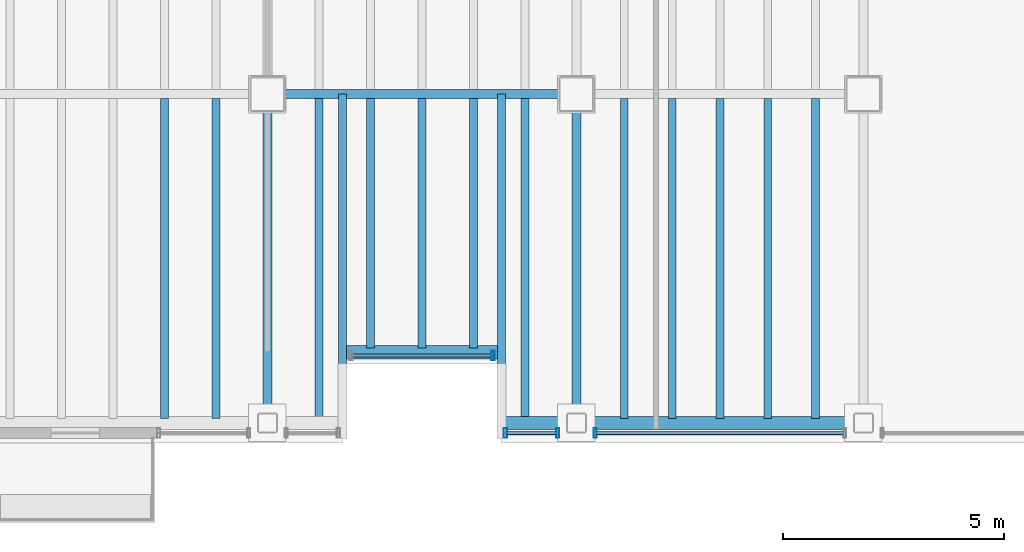
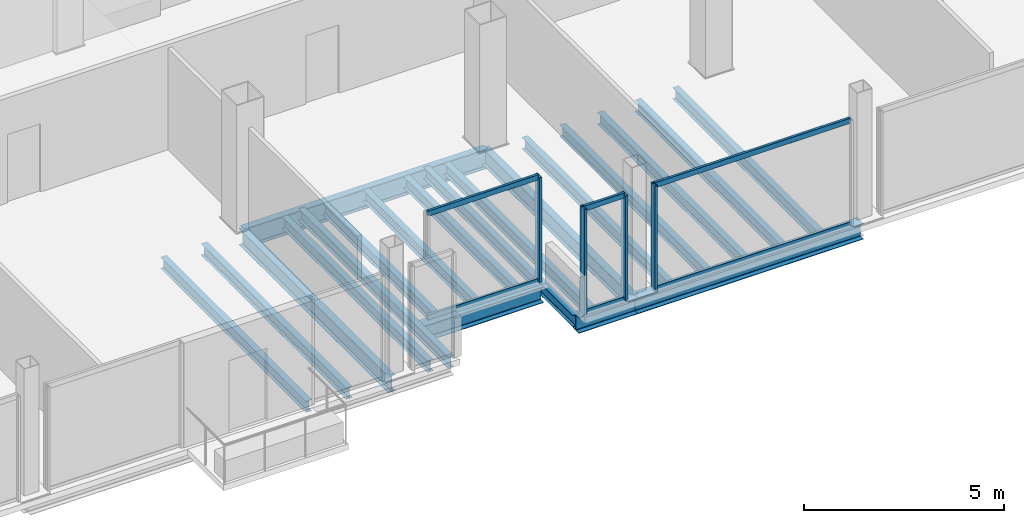
# One storey, part 6 of 16: 20 beams, 10 members, 3 elements without a shape of their own.
"""IFC4 building model written with IfcOpenShell, lengths in metres."""

from ifc_helpers import new_model, si_unit, direction, frame, origin, origin_2d, place, context, subcontext, project, spatial, hollow_rectangle, i_section, extrude, material, material_profile, profile_set, type_object, element, aggregate, save


model = new_model("IFC4")

# Units and contexts
model_context = context("Model", 3, precision=1e-05, world=origin(), true_north=direction((0.0, 1.0)))
body_context = subcontext(model_context, "Body", "Model", "MODEL_VIEW")
ifc_project = project(units=[si_unit("LENGTHUNIT", "METRE"), si_unit("AREAUNIT", "SQUARE_METRE"), si_unit("VOLUMEUNIT", "CUBIC_METRE"), si_unit("PLANEANGLEUNIT", "RADIAN"), si_unit("MASSUNIT", "GRAM", prefix="KILO")], contexts=[model_context])

# Site, building, storey
site_placement = place(None, origin())
site = spatial("IfcSite", under=ifc_project, at=site_placement, CompositionType="ELEMENT")
building_placement = place(site_placement, origin())
building = spatial("IfcBuilding", under=site, at=building_placement, Name="Noeulbin Bourse Tower", CompositionType="ELEMENT")
storey_placement = place(building_placement, frame((0.0, 0.0, 234.5)))
storey = spatial("IfcBuildingStorey", under=building, at=storey_placement, Name="L58", CompositionType="ELEMENT", Elevation=234.5)

# Beams
ifc_material_1 = material(Name="Steel S355", Category="steel")
ifc_material_profile_1 = material_profile(ifc_material_1, i_section(OverallWidth=0.199951171875, OverallDepth=0.5, WebThickness=0.010009765625, FlangeThickness=0.01611328125, FilletRadius=0.02001953125, at=origin_2d()), Name="H-500x200x10x16", Category="LoadBearing")
ifc_profile_set_1 = profile_set([ifc_material_profile_1], Name="Steel S355")
beam_type_1 = type_object("IfcBeamType", Name="BM-GRD-500", PredefinedType="USERDEFINED", material=ifc_profile_set_1)
for number, where, z_axis, x_axis, name in (
    (1, (24.0, 12.550048828125, -0.429931640625), (0.0, 1.0, 0.0), (-1.0, 0.0, 0.0), "Tower Primary Girder NS L58-2.1"),
    (2, (31.0, 12.550048828125, -0.429931640625), (0.0, 1.0, 0.0), (-1.0, 0.0, 0.0), "Tower Primary Girder NS L58-3.1"),
):
    element("IfcBeam", number, at=place(storey_placement, frame(where, z_axis=z_axis, x_axis=x_axis)), inside=storey, type_object=beam_type_1, Name=name, ObjectType="GIRDER", PredefinedType="USERDEFINED", context=body_context, shape_type="SweptSolid", body=[
        extrude(i_section(OverallWidth=0.199951171875, OverallDepth=0.5, WebThickness=0.010009765625, FlangeThickness=0.01611328125, FilletRadius=0.02001953125, at=origin_2d()), origin(), (0.0, 0.0, 1.0), 7.449951171875),
    ])
ifc_material_profile_2 = material_profile(ifc_material_1, i_section(OverallWidth=0.199951171875, OverallDepth=0.60009765625, WebThickness=0.010986328125, FlangeThickness=0.01708984375, FilletRadius=0.02197265625, at=origin_2d()), Name="H-600x200x11x17", Category="LoadBearing")
ifc_profile_set_2 = profile_set([ifc_material_profile_2], Name="Steel S355")
beam_type_2 = type_object("IfcBeamType", Name="BM-GRD-600", PredefinedType="USERDEFINED", material=ifc_profile_set_2)
beam_1_placement = place(storey_placement, frame((24.0, 20.0, -0.47998046875), z_axis=(1.0, 0.0, 0.0), x_axis=(0.0, 1.0, 0.0)))
element("IfcBeam", 3, at=beam_1_placement, inside=storey, type_object=beam_type_2, Name="Tower Primary Girder EW L58-1.3", ObjectType="GIRDER", PredefinedType="USERDEFINED", context=body_context, shape_type="SweptSolid", body=[
    extrude(i_section(OverallWidth=0.199951171875, OverallDepth=0.60009765625, WebThickness=0.010986328125, FlangeThickness=0.01708984375, FilletRadius=0.02197265625, at=origin_2d()), origin(), (0.0, 0.0, 1.0), 7.0),
])
ifc_material_profile_3 = material_profile(ifc_material_1, i_section(OverallWidth=0.175048828125, OverallDepth=0.35009765625, WebThickness=0.007080078125, FlangeThickness=0.010986328125, FilletRadius=0.013916015625, at=origin_2d()), Name="H-350x175x7x11", Category="LoadBearing")
ifc_profile_set_3 = profile_set([ifc_material_profile_3], Name="Steel S355")
beam_type_3 = type_object("IfcBeamType", Name="BM-JST-350", PredefinedType="JOIST", material=ifc_profile_set_3)
for number, where, z_axis, x_axis, name in (
    (4, (25.699951171875, 12.550048828125, -0.35498046875), (0.0, 1.0, 0.0), (-1.0, 0.0, 0.0), "BM-L58-SRT-W"),
    (5, (29.300048828125, 12.550048828125, -0.35498046875), (0.0, 1.0, 0.0), (-1.0, 0.0, 0.0), "BM-L58-SRT-E"),
):
    element("IfcBeam", number, at=place(storey_placement, frame(where, z_axis=z_axis, x_axis=x_axis)), inside=storey, type_object=beam_type_3, Name=name, PredefinedType="JOIST", context=body_context, shape_type="SweptSolid", body=[
        extrude(i_section(OverallWidth=0.175048828125, OverallDepth=0.35009765625, WebThickness=0.007080078125, FlangeThickness=0.010986328125, FilletRadius=0.013916015625, at=origin_2d()), origin(), (0.0, 0.0, 1.0), 7.449951171875),
    ])
for number, where, z_axis, x_axis, name in (
    (6, (21.666748046875, 12.64990234375, -0.35498046875), (0.0, 1.0, 0.0), (-1.0, 0.0, 0.0), "Tower Composite Joist L58-13"),
    (7, (22.833251953125, 12.64990234375, -0.35498046875), (0.0, 1.0, 0.0), (-1.0, 0.0, 0.0), "Tower Composite Joist L58-15"),
    (8, (25.166748046875, 12.64990234375, -0.35498046875), (0.0, 1.0, 0.0), (-1.0, 0.0, 0.0), "Tower Composite Joist L58-17"),
):
    element("IfcBeam", number, at=place(storey_placement, frame(where, z_axis=z_axis, x_axis=x_axis)), inside=storey, type_object=beam_type_3, Name=name, PredefinedType="JOIST", context=body_context, shape_type="SweptSolid", body=[
        extrude(i_section(OverallWidth=0.175048828125, OverallDepth=0.35009765625, WebThickness=0.007080078125, FlangeThickness=0.010986328125, FilletRadius=0.013916015625, at=origin_2d()), origin(), (0.0, 0.0, 1.0), 7.25),
    ])
for number, where, z_axis, x_axis, name in (
    (9, (26.333251953125, 14.25, -0.35498046875), (0.0, 1.0, 0.0), (-1.0, 0.0, 0.0), "Tower Composite Joist L58-19"),
    (10, (27.5, 14.25, -0.35498046875), (0.0, 1.0, 0.0), (-1.0, 0.0, 0.0), "Tower Composite Joist L58-21"),
    (11, (28.666748046875, 14.25, -0.35498046875), (0.0, 1.0, 0.0), (-1.0, 0.0, 0.0), "Tower Composite Joist L58-23"),
):
    element("IfcBeam", number, at=place(storey_placement, frame(where, z_axis=z_axis, x_axis=x_axis)), inside=storey, type_object=beam_type_3, Name=name, PredefinedType="JOIST", context=body_context, shape_type="SweptSolid", body=[
        extrude(i_section(OverallWidth=0.175048828125, OverallDepth=0.35009765625, WebThickness=0.007080078125, FlangeThickness=0.010986328125, FilletRadius=0.013916015625, at=origin_2d()), origin(), (0.0, 0.0, 1.0), 5.64990234375),
    ])
for number, where, z_axis, x_axis, name in (
    (12, (29.833251953125, 12.64990234375, -0.35498046875), (0.0, 1.0, 0.0), (-1.0, 0.0, 0.0), "Tower Composite Joist L58-25"),
    (13, (32.083251953125, 12.64990234375, -0.35498046875), (0.0, 1.0, 0.0), (-1.0, 0.0, 0.0), "Tower Composite Joist L58-27"),
    (14, (33.166748046875, 12.64990234375, -0.35498046875), (0.0, 1.0, 0.0), (-1.0, 0.0, 0.0), "Tower Composite Joist L58-29"),
    (15, (34.25, 12.64990234375, -0.35498046875), (0.0, 1.0, 0.0), (-1.0, 0.0, 0.0), "Tower Composite Joist L58-31"),
    (16, (35.333251953125, 12.64990234375, -0.35498046875), (0.0, 1.0, 0.0), (-1.0, 0.0, 0.0), "Tower Composite Joist L58-33"),
    (17, (36.416748046875, 12.64990234375, -0.35498046875), (0.0, 1.0, 0.0), (-1.0, 0.0, 0.0), "Tower Composite Joist L58-35"),
):
    element("IfcBeam", number, at=place(storey_placement, frame(where, z_axis=z_axis, x_axis=x_axis)), inside=storey, type_object=beam_type_3, Name=name, PredefinedType="JOIST", context=body_context, shape_type="SweptSolid", body=[
        extrude(i_section(OverallWidth=0.175048828125, OverallDepth=0.35009765625, WebThickness=0.007080078125, FlangeThickness=0.010986328125, FilletRadius=0.013916015625, at=origin_2d()), origin(), (0.0, 0.0, 1.0), 7.25),
    ])
ifc_material_profile_4 = material_profile(ifc_material_1, i_section(OverallWidth=0.300048828125, OverallDepth=0.488037109375, WebThickness=0.010986328125, FlangeThickness=0.01806640625, FilletRadius=0.02197265625, at=origin_2d()), Name="H-488x300x11x18", Category="LoadBearing")
ifc_profile_set_4 = profile_set([ifc_material_profile_4], Name="Steel S355")
beam_type_4 = type_object("IfcBeamType", Name="BM-SPN-488", PredefinedType="SPANDREL", material=ifc_profile_set_4)
beam_2_placement = place(storey_placement, frame((25.78759765625, 14.14990234375, -0.424072265625), z_axis=(1.0, 0.0, 0.0), x_axis=(0.0, 1.0, 0.0)))
element("IfcBeam", 18, at=beam_2_placement, inside=storey, type_object=beam_type_4, Name="South Recess Spandrel L58-2B", PredefinedType="SPANDREL", context=body_context, shape_type="SweptSolid", body=[
    extrude(i_section(OverallWidth=0.300048828125, OverallDepth=0.488037109375, WebThickness=0.010986328125, FlangeThickness=0.01806640625, FilletRadius=0.02197265625, at=origin_2d()), origin(), (0.0, 0.0, 1.0), 3.4248046875),
])
beam_3_placement = place(storey_placement, frame((29.300048828125, 12.550048828125, -0.424072265625), z_axis=(1.0, 0.0, 0.0), x_axis=(0.0, 1.0, 0.0)))
element("IfcBeam", 19, at=beam_3_placement, inside=storey, type_object=beam_type_4, Name="South Spandrel L58-2C", PredefinedType="SPANDREL", context=body_context, shape_type="SweptSolid", body=[
    extrude(i_section(OverallWidth=0.300048828125, OverallDepth=0.488037109375, WebThickness=0.010986328125, FlangeThickness=0.01806640625, FilletRadius=0.02197265625, at=origin_2d()), origin(), (0.0, 0.0, 1.0), 1.699951171875),
])
beam_4_placement = place(storey_placement, frame((31.0, 12.550048828125, -0.424072265625), z_axis=(1.0, 0.0, 0.0), x_axis=(0.0, 1.0, 0.0)))
element("IfcBeam", 20, at=beam_4_placement, inside=storey, type_object=beam_type_4, Name="South Spandrel L58-3", PredefinedType="SPANDREL", context=body_context, shape_type="SweptSolid", body=[
    extrude(i_section(OverallWidth=0.300048828125, OverallDepth=0.488037109375, WebThickness=0.010986328125, FlangeThickness=0.01806640625, FilletRadius=0.02197265625, at=origin_2d()), origin(), (0.0, 0.0, 1.0), 6.5),
])

# Curtain wall, member
ifc_material_2 = material(Name="High-Selectivity Low-Iron Glazing", Category="glass")
curtain_wall_type = type_object("IfcCurtainWallType", Name="CW-SYS-4", PredefinedType="NOTDEFINED", material=ifc_material_2)
curtain_wall_1_placement = place(storey_placement, origin())
curtain_wall_1 = element("IfcCurtainWall", 21, at=curtain_wall_1_placement, inside=storey, type_object=curtain_wall_type, Name="Unitised Curtain Wall CW-L58-SREC", PredefinedType="NOTDEFINED")
ifc_material_3 = material(Name="Anodised Aluminium 6063-T6", Category="aluminium")
ifc_material_profile_5 = material_profile(ifc_material_3, hollow_rectangle(XDim=0.074951171875, YDim=0.219970703125, WallThickness=0.0048828125, InnerFilletRadius=0.00244140625, OuterFilletRadius=0.0048828125, at=origin_2d()), Name="ALU-MULL-75x220x5", Category="LoadBearing")
ifc_profile_set_5 = profile_set([ifc_material_profile_5], Name="Anodised Aluminium 6063-T6")
member_type_1 = type_object("IfcMemberType", Name="CW-SYS-4-MUL", PredefinedType="MULLION", material=ifc_profile_set_5)
member_1_placement = place(storey_placement, frame((29.110107421875, 14.080078125, -0.02001953125), z_axis=(0.0, 0.0, 1.0), x_axis=(1.0, 0.0, 0.0)))
member_1 = element("IfcMember", 22, at=member_1_placement, type_object=member_type_1, Name="Curtain Wall Mullion CW-L58-SREC-M01", PredefinedType="MULLION", context=body_context, shape_type="SweptSolid", body=[
    extrude(hollow_rectangle(XDim=0.074951171875, YDim=0.219970703125, WallThickness=0.0048828125, InnerFilletRadius=0.00244140625, OuterFilletRadius=0.0048828125, at=origin_2d()), origin(), (0.0, 0.0, 1.0), 3.219970703125),
])

# Curtain wall, members
curtain_wall_2_placement = place(storey_placement, origin())
curtain_wall_2 = element("IfcCurtainWall", 23, at=curtain_wall_2_placement, inside=storey, type_object=curtain_wall_type, Name="Unitised Curtain Wall CW-L58-S3-S1", PredefinedType="NOTDEFINED")
member_2_placement = place(storey_placement, frame((29.389892578125, 12.320068359375, -0.02001953125), z_axis=(0.0, 0.0, 1.0), x_axis=(1.0, 0.0, 0.0)))
member_2 = element("IfcMember", 24, at=member_2_placement, type_object=member_type_1, Name="Curtain Wall Mullion CW-L58-S3-S1-M00", PredefinedType="MULLION", context=body_context, shape_type="SweptSolid", body=[
    extrude(hollow_rectangle(XDim=0.074951171875, YDim=0.219970703125, WallThickness=0.0048828125, InnerFilletRadius=0.00244140625, OuterFilletRadius=0.0048828125, at=origin_2d()), origin(), (0.0, 0.0, 1.0), 3.219970703125),
])
member_3_placement = place(storey_placement, frame((30.574951171875, 12.320068359375, -0.02001953125), z_axis=(0.0, 0.0, 1.0), x_axis=(1.0, 0.0, 0.0)))
member_3 = element("IfcMember", 25, at=member_3_placement, type_object=member_type_1, Name="Curtain Wall Mullion CW-L58-S3-S1-M01", PredefinedType="MULLION", context=body_context, shape_type="SweptSolid", body=[
    extrude(hollow_rectangle(XDim=0.074951171875, YDim=0.219970703125, WallThickness=0.0048828125, InnerFilletRadius=0.00244140625, OuterFilletRadius=0.0048828125, at=origin_2d()), origin(), (0.0, 0.0, 1.0), 3.219970703125),
])

# Curtain wall, member
curtain_wall_3_placement = place(storey_placement, origin())
curtain_wall_3 = element("IfcCurtainWall", 26, at=curtain_wall_3_placement, inside=storey, type_object=curtain_wall_type, Name="Unitised Curtain Wall CW-L58-S3-S2", PredefinedType="NOTDEFINED")
member_4_placement = place(storey_placement, frame((31.425048828125, 12.320068359375, -0.02001953125), z_axis=(0.0, 0.0, 1.0), x_axis=(1.0, 0.0, 0.0)))
member_4 = element("IfcMember", 27, at=member_4_placement, type_object=member_type_1, Name="Curtain Wall Mullion CW-L58-S3-S2-M00", PredefinedType="MULLION", context=body_context, shape_type="SweptSolid", body=[
    extrude(hollow_rectangle(XDim=0.074951171875, YDim=0.219970703125, WallThickness=0.0048828125, InnerFilletRadius=0.00244140625, OuterFilletRadius=0.0048828125, at=origin_2d()), origin(), (0.0, 0.0, 1.0), 3.219970703125),
])

# Member
ifc_material_profile_6 = material_profile(ifc_material_3, hollow_rectangle(XDim=0.074951171875, YDim=0.159912109375, WallThickness=0.0048828125, InnerFilletRadius=0.00244140625, OuterFilletRadius=0.0048828125, at=origin_2d()), Name="ALU-TRAN-75x160x5", Category="LoadBearing")
ifc_profile_set_6 = profile_set([ifc_material_profile_6], Name="Anodised Aluminium 6063-T6")
member_type_2 = type_object("IfcMemberType", Name="CW-SYS-4-TRN", PredefinedType="USERDEFINED", material=ifc_profile_set_6)
member_5_placement = place(storey_placement, frame((25.89990234375, 14.080078125, 0.010009765625), z_axis=(1.0, 0.0, 0.0), x_axis=(0.0, 1.0, 0.0)))
member_5 = element("IfcMember", 28, at=member_5_placement, type_object=member_type_2, Name="Curtain Wall Transom CW-L58-SREC-T00", ObjectType="TRANSOM", PredefinedType="USERDEFINED", context=body_context, shape_type="SweptSolid", body=[
    extrude(hollow_rectangle(XDim=0.074951171875, YDim=0.159912109375, WallThickness=0.0048828125, InnerFilletRadius=0.00244140625, OuterFilletRadius=0.0048828125, at=origin_2d()), origin(), (0.0, 0.0, 1.0), 3.2001953125),
])

member_6_placement = place(storey_placement, frame((25.89990234375, 14.080078125, 3.169921875), z_axis=(1.0, 0.0, 0.0), x_axis=(0.0, 1.0, 0.0)))
member_6 = element("IfcMember", 29, at=member_6_placement, type_object=member_type_2, Name="Curtain Wall Transom CW-L58-SREC-T01", ObjectType="TRANSOM", PredefinedType="USERDEFINED", context=body_context, shape_type="SweptSolid", body=[
    extrude(hollow_rectangle(XDim=0.074951171875, YDim=0.159912109375, WallThickness=0.0048828125, InnerFilletRadius=0.00244140625, OuterFilletRadius=0.0048828125, at=origin_2d()), origin(), (0.0, 0.0, 1.0), 3.2001953125),
])

aggregate(curtain_wall_1, [member_1, member_5, member_6])

member_7_placement = place(storey_placement, frame((29.39990234375, 12.320068359375, 0.010009765625), z_axis=(1.0, 0.0, 0.0), x_axis=(0.0, 1.0, 0.0)))
member_7 = element("IfcMember", 30, at=member_7_placement, type_object=member_type_2, Name="Curtain Wall Transom CW-L58-S3-S1-T00", ObjectType="TRANSOM", PredefinedType="USERDEFINED", context=body_context, shape_type="SweptSolid", body=[
    extrude(hollow_rectangle(XDim=0.074951171875, YDim=0.159912109375, WallThickness=0.0048828125, InnerFilletRadius=0.00244140625, OuterFilletRadius=0.0048828125, at=origin_2d()), origin(), (0.0, 0.0, 1.0), 1.1650390625),
])

member_8_placement = place(storey_placement, frame((29.39990234375, 12.320068359375, 3.169921875), z_axis=(1.0, 0.0, 0.0), x_axis=(0.0, 1.0, 0.0)))
member_8 = element("IfcMember", 31, at=member_8_placement, type_object=member_type_2, Name="Curtain Wall Transom CW-L58-S3-S1-T01", ObjectType="TRANSOM", PredefinedType="USERDEFINED", context=body_context, shape_type="SweptSolid", body=[
    extrude(hollow_rectangle(XDim=0.074951171875, YDim=0.159912109375, WallThickness=0.0048828125, InnerFilletRadius=0.00244140625, OuterFilletRadius=0.0048828125, at=origin_2d()), origin(), (0.0, 0.0, 1.0), 1.1650390625),
])

aggregate(curtain_wall_2, [member_2, member_3, member_7, member_8])

member_9_placement = place(storey_placement, frame((31.43505859375, 12.320068359375, 0.010009765625), z_axis=(1.0, 0.0, 0.0), x_axis=(0.0, 1.0, 0.0)))
member_9 = element("IfcMember", 32, at=member_9_placement, type_object=member_type_2, Name="Curtain Wall Transom CW-L58-S3-S2-T00", ObjectType="TRANSOM", PredefinedType="USERDEFINED", context=body_context, shape_type="SweptSolid", body=[
    extrude(hollow_rectangle(XDim=0.074951171875, YDim=0.159912109375, WallThickness=0.0048828125, InnerFilletRadius=0.00244140625, OuterFilletRadius=0.0048828125, at=origin_2d()), origin(), (0.0, 0.0, 1.0), 5.6298828125),
])

member_10_placement = place(storey_placement, frame((31.43505859375, 12.320068359375, 3.169921875), z_axis=(1.0, 0.0, 0.0), x_axis=(0.0, 1.0, 0.0)))
member_10 = element("IfcMember", 33, at=member_10_placement, type_object=member_type_2, Name="Curtain Wall Transom CW-L58-S3-S2-T01", ObjectType="TRANSOM", PredefinedType="USERDEFINED", context=body_context, shape_type="SweptSolid", body=[
    extrude(hollow_rectangle(XDim=0.074951171875, YDim=0.159912109375, WallThickness=0.0048828125, InnerFilletRadius=0.00244140625, OuterFilletRadius=0.0048828125, at=origin_2d()), origin(), (0.0, 0.0, 1.0), 5.6298828125),
])

aggregate(curtain_wall_3, [member_4, member_9, member_10])

save(model, "model.ifc")
